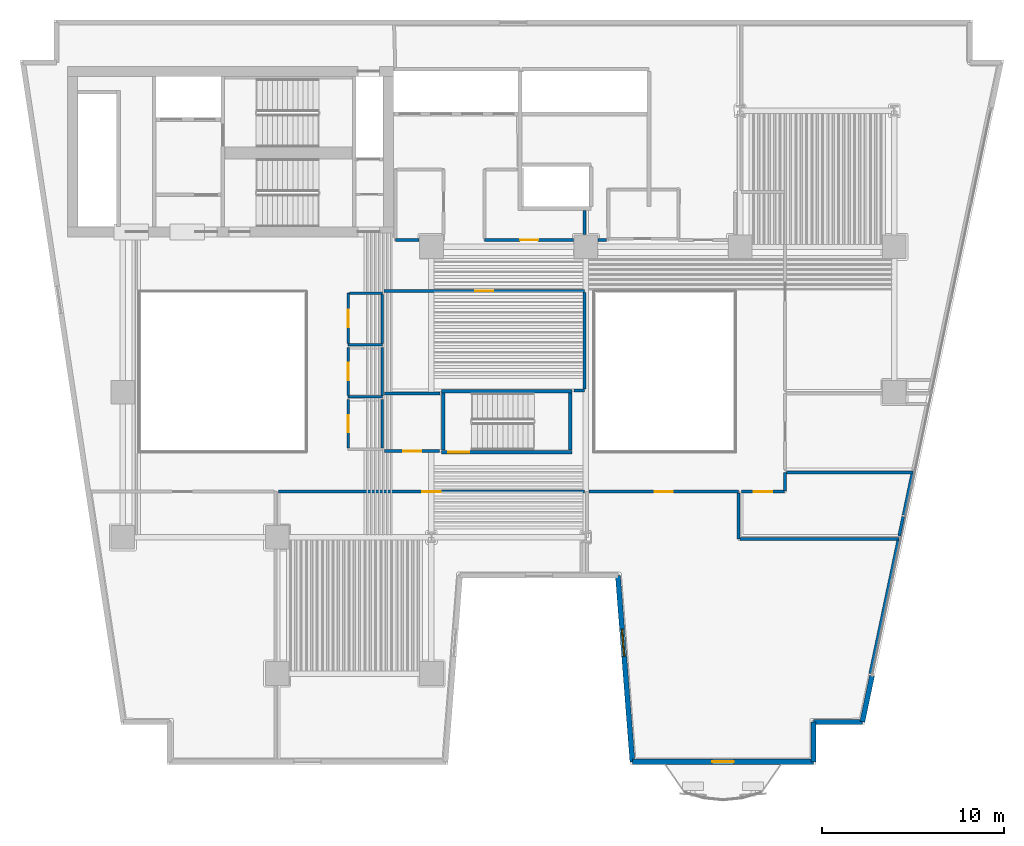
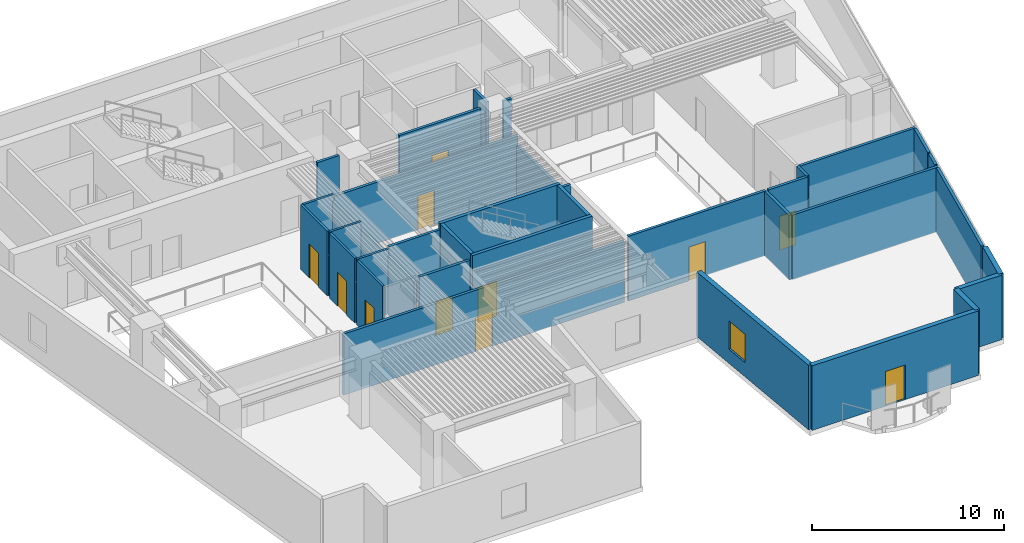
# One storey, part 4 of 12: 37 walls, 11 doors, 1 window, 12 openings.
"""IFC4 building model written with IfcOpenShell, lengths in metres."""

from ifc_helpers import new_model, si_unit, direction, frame, frame_2d, origin, place, context, subcontext, project, spatial, rectangle, extrude, material, layer, layer_set, type_object, element, fill, save


model = new_model("IFC4")

# Units and contexts
model_context = context("Model", 3, precision=1e-05, world=origin(), true_north=direction((0.0, 1.0)))
body_context = subcontext(model_context, "Body", "Model", "MODEL_VIEW")
ifc_project = project(units=[si_unit("LENGTHUNIT", "METRE"), si_unit("AREAUNIT", "SQUARE_METRE"), si_unit("VOLUMEUNIT", "CUBIC_METRE"), si_unit("PLANEANGLEUNIT", "RADIAN"), si_unit("MASSUNIT", "GRAM", prefix="KILO")], contexts=[model_context])

# Site, building, storey
site_placement = place(None, origin())
site = spatial("IfcSite", under=ifc_project, at=site_placement, CompositionType="ELEMENT")
building_placement = place(site_placement, origin())
building = spatial("IfcBuilding", under=site, at=building_placement, Name="Caeloran Harvest Quay", CompositionType="ELEMENT")
storey_placement = place(building_placement, frame((0.0, 0.0, 35.800048828125)))
storey = spatial("IfcBuildingStorey", under=building, at=storey_placement, Name="L08", CompositionType="ELEMENT", Elevation=35.800048828125)

# Walls
ifc_material_1 = material(Name="Precast concrete C50/60", Category="concrete")
ifc_layer_1 = layer(ifc_material_1, 0.280029296875, Name="Precast concrete C50/60")
ifc_layer_set_1 = layer_set([ifc_layer_1], Name="Precast concrete C50/60")
wall_type_1 = type_object("IfcWallType", Name="ENV-WALL-EW-280", PredefinedType="STANDARD", material=ifc_layer_set_1)
wall_1_placement = place(storey_placement, frame((49.77001953125, 7.384521484375, 0.0), z_axis=(0.0, 0.0, 1.0), x_axis=(-0.205551409765, -0.978646319128, 0.0)))
element("IfcWall", 1, at=wall_1_placement, inside=storey, type_object=wall_type_1, Name="L08 Exterior Facade Corner Pier Wall 9B", PredefinedType="STANDARD", context=body_context, shape_type="SweptSolid", body=[
    extrude(rectangle(XDim=2.599853515625, YDim=0.280029296875, at=frame_2d((1.2998046875, 0.0))), origin(), (0.0, 0.0, 1.0), 4.099853515625),
])
wall_2_placement = place(storey_placement, frame((49.235595703125, 4.840087890625, 0.0), z_axis=(0.0, 0.0, 1.0), x_axis=(-1.0, 0.0, 0.0)))
element("IfcWall", 2, at=wall_2_placement, inside=storey, type_object=wall_type_1, Name="L08 Exterior Precast Concrete Facade Wall 10", PredefinedType="STANDARD", context=body_context, shape_type="SweptSolid", body=[
    extrude(rectangle(XDim=2.6884765625, YDim=0.280029296875, at=frame_2d((1.34423828125, 0.0))), origin(), (0.0, 0.0, 1.0), 4.099853515625),
])
wall_3_placement = place(storey_placement, frame((46.547119140625, 4.840087890625, 0.0), z_axis=(0.0, 0.0, 1.0), x_axis=(0.0, -1.0, 0.0)))
element("IfcWall", 3, at=wall_3_placement, inside=storey, type_object=wall_type_1, Name="L08 Exterior Precast Concrete Facade Wall 11", PredefinedType="STANDARD", context=body_context, shape_type="SweptSolid", body=[
    extrude(rectangle(XDim=2.2001953125, YDim=0.280029296875, at=frame_2d((1.10009765625, 0.0))), origin(), (0.0, 0.0, 1.0), 4.099853515625),
])

# Wall, opening, door
wall_4_placement = place(storey_placement, frame((46.547119140625, 2.639892578125, 0.0), z_axis=(0.0, 0.0, 1.0), x_axis=(-1.0, 0.0, 0.0)))
wall_4 = element("IfcWall", 4, at=wall_4_placement, inside=storey, type_object=wall_type_1, Name="L08 Exterior Precast Concrete Facade Wall 12", PredefinedType="STANDARD", context=body_context, shape_type="SweptSolid", body=[
    extrude(rectangle(XDim=9.97705078125, YDim=0.280029296875, at=frame_2d((4.988525390625, 0.0))), origin(), (0.0, 0.0, 1.0), 4.099853515625),
])
opening_1_placement = place(wall_4_placement, frame((4.387939453125, 0.0, 0.0)))
opening_1 = element("IfcOpeningElement", 5, at=opening_1_placement, cuts=wall_4, Name="Opening BD-01", PredefinedType="OPENING", context=body_context, shape_type="SweptSolid", body=[
    extrude(rectangle(XDim=1.199951171875, YDim=2.199951171875, at=frame_2d((0.60009765625, 1.10009765625))), frame((0.0, 0.14990234375, 0.0), z_axis=(0.0, -1.0, 0.0), x_axis=(1.0, 0.0, 0.0)), (0.0, 0.0, 1.0), 0.300048828125),
])
ifc_material_2 = material(Name="Thermally Broken Powder-Coated Aluminium and Safety Glass", Category="aluminium")
door_type_1 = type_object("IfcDoorType", Name="EXTDOOR-BD-01", OperationType="NOTDEFINED", PredefinedType="DOOR", material=ifc_material_2)
door_1_placement = place(opening_1_placement, origin())
door_1 = element("IfcDoor", 6, at=door_1_placement, inside=storey, type_object=door_type_1, Name="L08 Planted Balcony Glazed Access Door", OperationType="SINGLE_SWING_LEFT", OverallHeight=2.199951171875, OverallWidth=1.199951171875, PredefinedType="DOOR", context=body_context, shape_type="SweptSolid", body=[
    extrude(rectangle(XDim=1.199951171875, YDim=2.199951171875, at=frame_2d((0.60009765625, 1.10009765625))), frame((0.0, 0.02490234375, 0.0), z_axis=(0.0, -1.0, 0.0), x_axis=(1.0, 0.0, 0.0)), (0.0, 0.0, 1.0), 0.050048828125),
])
fill(opening_1, door_1)

# Wall, opening, window
wall_5_placement = place(storey_placement, frame((36.570068359375, 2.639892578125, 0.0), z_axis=(0.0, 0.0, 1.0), x_axis=(-0.077816860153, 0.996967670627, 0.0)))
wall_5 = element("IfcWall", 7, at=wall_5_placement, inside=storey, type_object=wall_type_1, Name="L08 Exterior Precast Concrete Facade Wall 13", PredefinedType="STANDARD", context=body_context, shape_type="SweptSolid", body=[
    extrude(rectangle(XDim=10.28125, YDim=0.280029296875, at=frame_2d((5.140625, 0.0))), origin(), (0.0, 0.0, 1.0), 4.099853515625),
])
opening_2_placement = place(wall_5_placement, frame((5.830078125, 0.0, 0.89990234375)))
opening_2 = element("IfcOpeningElement", 8, at=opening_2_placement, cuts=wall_5, Name="Opening W-03", PredefinedType="OPENING", context=body_context, shape_type="SweptSolid", body=[
    extrude(rectangle(XDim=1.5, YDim=1.800048828125, at=frame_2d((0.75, 0.89990234375))), frame((0.0, 0.14990234375, 0.0), z_axis=(0.0, -1.0, 0.0), x_axis=(1.0, 0.0, 0.0)), (0.0, 0.0, 1.0), 0.300048828125),
])
ifc_material_3 = material(Name="Aluminium-Framed Low-E Laminated Glass", Category="aluminium")
window_type = type_object("IfcWindowType", Name="WIN-W-03", PartitioningType="SINGLE_PANEL", PredefinedType="WINDOW", material=ifc_material_3)
window_placement = place(opening_2_placement, origin())
window = element("IfcWindow", 9, at=window_placement, inside=storey, type_object=window_type, Name="L08 Facade Punched Window W-03", OverallHeight=1.800048828125, OverallWidth=1.5, PartitioningType="SINGLE_PANEL", PredefinedType="WINDOW", context=body_context, shape_type="SweptSolid", body=[
    extrude(rectangle(XDim=1.5, YDim=1.800048828125, at=frame_2d((0.75, 0.89990234375))), frame((0.0, 0.030029296875, 0.0), z_axis=(0.0, -1.0, 0.0), x_axis=(1.0, 0.0, 0.0)), (0.0, 0.0, 1.0), 0.06005859375),
])
fill(opening_2, window)

# Wall
ifc_material_4 = material(Name="Moisture-Resistant Cement-Board Sanitary Partition", Category="gypsum")
ifc_layer_2 = layer(ifc_material_4, 0.139892578125, Name="Moisture-Resistant Cement-Board Sanitary Partition")
ifc_layer_set_2 = layer_set([ifc_layer_2], Name="Moisture-Resistant Cement-Board Sanitary Partition")
wall_type_2 = type_object("IfcWallType", Name="INT-WALL-PW-140", PredefinedType="PARTITIONING", material=ifc_layer_set_2)
wall_6_placement = place(storey_placement, frame((22.800048828125, 25.60009765625, 0.0), z_axis=(0.0, 0.0, 1.0), x_axis=(-1.0, 0.0, 0.0)))
element("IfcWall", 10, at=wall_6_placement, inside=storey, type_object=wall_type_2, Name="L08 Male Washroom WC Partition Wall", PredefinedType="PARTITIONING", context=body_context, shape_type="SweptSolid", body=[
    extrude(rectangle(XDim=1.89013671875, YDim=0.139892578125, at=frame_2d((0.945068359375, 0.0))), origin(), (0.0, 0.0, 1.0), 4.099853515625),
])

# Wall, opening, door
wall_7_placement = place(storey_placement, frame((20.909912109375, 25.675048828125, 0.0), z_axis=(0.0, 0.0, 1.0), x_axis=(0.0, 1.0, 0.0)))
wall_7 = element("IfcWall", 11, at=wall_7_placement, inside=storey, type_object=wall_type_2, Name="L08 Male Washroom WC Partition Wall", PredefinedType="PARTITIONING", context=body_context, shape_type="SweptSolid", body=[
    extrude(rectangle(XDim=2.77490234375, YDim=0.139892578125, at=frame_2d((1.387451171875, 0.0))), origin(), (0.0, 0.0, 1.0), 4.099853515625),
])
opening_3_placement = place(wall_7_placement, frame((0.91259765625, 0.0, 0.0)))
opening_3 = element("IfcOpeningElement", 12, at=opening_3_placement, cuts=wall_7, Name="Opening WC-01", PredefinedType="OPENING", context=body_context, shape_type="SweptSolid", body=[
    extrude(rectangle(XDim=0.949951171875, YDim=2.14990234375, at=frame_2d((0.47509765625, 1.074951171875))), frame((0.0, 0.080078125, 0.0), z_axis=(0.0, -1.0, 0.0), x_axis=(1.0, 0.0, 0.0)), (0.0, 0.0, 1.0), 0.159912109375),
])
ifc_material_5 = material(Name="High-Pressure Laminate Moisture-Resistant Timber", Category="wood")
door_type_2 = type_object("IfcDoorType", Name="INTDOOR-WC-01", OperationType="NOTDEFINED", PredefinedType="DOOR", material=ifc_material_5)
door_2_placement = place(opening_3_placement, origin())
door_2 = element("IfcDoor", 13, at=door_2_placement, inside=storey, type_object=door_type_2, Name="L08 Male Washroom WC Access Door", OperationType="SINGLE_SWING_LEFT", OverallHeight=2.14990234375, OverallWidth=0.949951171875, PredefinedType="DOOR", context=body_context, shape_type="SweptSolid", body=[
    extrude(rectangle(XDim=0.949951171875, YDim=2.14990234375, at=frame_2d((0.47509765625, 1.074951171875))), frame((0.0, 0.02490234375, 0.0), z_axis=(0.0, -1.0, 0.0), x_axis=(1.0, 0.0, 0.0)), (0.0, 0.0, 1.0), 0.050048828125),
])
fill(opening_3, door_2)

# Walls
wall_8_placement = place(storey_placement, frame((20.985107421875, 28.449951171875, 0.0), z_axis=(0.0, 0.0, 1.0), x_axis=(1.0, 0.0, 0.0)))
element("IfcWall", 14, at=wall_8_placement, inside=storey, type_object=wall_type_2, Name="L08 Male Washroom WC Partition Wall", PredefinedType="PARTITIONING", context=body_context, shape_type="SweptSolid", body=[
    extrude(rectangle(XDim=1.81494140625, YDim=0.139892578125, at=frame_2d((0.907470703125, 0.0))), origin(), (0.0, 0.0, 1.0), 4.099853515625),
])
wall_9_placement = place(storey_placement, frame((22.800048828125, 28.375, 0.0), z_axis=(0.0, 0.0, 1.0), x_axis=(0.0, -1.0, 0.0)))
element("IfcWall", 15, at=wall_9_placement, inside=storey, type_object=wall_type_2, Name="L08 Male Washroom WC Partition Wall", PredefinedType="PARTITIONING", context=body_context, shape_type="SweptSolid", body=[
    extrude(rectangle(XDim=2.699951171875, YDim=0.139892578125, at=frame_2d((1.35009765625, 0.0))), origin(), (0.0, 0.0, 1.0), 3.724853515625),
])
wall_10_placement = place(storey_placement, frame((22.800048828125, 22.75, 0.0), z_axis=(0.0, 0.0, 1.0), x_axis=(-1.0, 0.0, 0.0)))
element("IfcWall", 16, at=wall_10_placement, inside=storey, type_object=wall_type_2, Name="L08 Female Washroom WC Partition Wall", PredefinedType="PARTITIONING", context=body_context, shape_type="SweptSolid", body=[
    extrude(rectangle(XDim=1.89013671875, YDim=0.139892578125, at=frame_2d((0.945068359375, 0.0))), origin(), (0.0, 0.0, 1.0), 4.099853515625),
])

# Wall, opening, door
wall_11_placement = place(storey_placement, frame((20.909912109375, 22.824951171875, 0.0), z_axis=(0.0, 0.0, 1.0), x_axis=(0.0, 1.0, 0.0)))
wall_11 = element("IfcWall", 17, at=wall_11_placement, inside=storey, type_object=wall_type_2, Name="L08 Female Washroom WC Partition Wall", PredefinedType="PARTITIONING", context=body_context, shape_type="SweptSolid", body=[
    extrude(rectangle(XDim=2.625, YDim=0.139892578125, at=frame_2d((1.3125, 0.0))), origin(), (0.0, 0.0, 1.0), 4.099853515625),
])
opening_4_placement = place(wall_11_placement, frame((0.83740234375, 0.0, 0.0)))
opening_4 = element("IfcOpeningElement", 18, at=opening_4_placement, cuts=wall_11, Name="Opening WC-01", PredefinedType="OPENING", context=body_context, shape_type="SweptSolid", body=[
    extrude(rectangle(XDim=0.949951171875, YDim=2.14990234375, at=frame_2d((0.47509765625, 1.074951171875))), frame((0.0, 0.080078125, 0.0), z_axis=(0.0, -1.0, 0.0), x_axis=(1.0, 0.0, 0.0)), (0.0, 0.0, 1.0), 0.159912109375),
])
door_3_placement = place(opening_4_placement, origin())
door_3 = element("IfcDoor", 19, at=door_3_placement, inside=storey, type_object=door_type_2, Name="L08 Female Washroom WC Access Door", OperationType="SINGLE_SWING_RIGHT", OverallHeight=2.14990234375, OverallWidth=0.949951171875, PredefinedType="DOOR", context=body_context, shape_type="SweptSolid", body=[
    extrude(rectangle(XDim=0.949951171875, YDim=2.14990234375, at=frame_2d((0.47509765625, 1.074951171875))), frame((0.0, 0.02490234375, 0.0), z_axis=(0.0, -1.0, 0.0), x_axis=(1.0, 0.0, 0.0)), (0.0, 0.0, 1.0), 0.050048828125),
])
fill(opening_4, door_3)

# Wall
wall_12_placement = place(storey_placement, frame((22.800048828125, 25.449951171875, 0.0), z_axis=(0.0, 0.0, 1.0), x_axis=(0.0, -1.0, 0.0)))
element("IfcWall", 20, at=wall_12_placement, inside=storey, type_object=wall_type_2, Name="L08 Female Washroom WC Partition Wall", PredefinedType="PARTITIONING", context=body_context, shape_type="SweptSolid", body=[
    extrude(rectangle(XDim=2.625, YDim=0.139892578125, at=frame_2d((1.3125, 0.0))), origin(), (0.0, 0.0, 1.0), 3.724853515625),
])

# Wall, opening, door
wall_13_placement = place(storey_placement, frame((20.909912109375, 19.925048828125, 0.0), z_axis=(0.0, 0.0, 1.0), x_axis=(0.0, 1.0, 0.0)))
wall_13 = element("IfcWall", 21, at=wall_13_placement, inside=storey, type_object=wall_type_2, Name="L08 Accessible Unisex Washroom WC Partition Wall", PredefinedType="PARTITIONING", context=body_context, shape_type="SweptSolid", body=[
    extrude(rectangle(XDim=2.675048828125, YDim=0.139892578125, at=frame_2d((1.33740234375, 0.0))), origin(), (0.0, 0.0, 1.0), 4.099853515625),
])
opening_5_placement = place(wall_13_placement, frame((0.862548828125, 0.0, 0.0)))
opening_5 = element("IfcOpeningElement", 22, at=opening_5_placement, cuts=wall_13, Name="Opening WC-01", PredefinedType="OPENING", context=body_context, shape_type="SweptSolid", body=[
    extrude(rectangle(XDim=0.949951171875, YDim=2.14990234375, at=frame_2d((0.47509765625, 1.074951171875))), frame((0.0, 0.080078125, 0.0), z_axis=(0.0, -1.0, 0.0), x_axis=(1.0, 0.0, 0.0)), (0.0, 0.0, 1.0), 0.159912109375),
])
door_4_placement = place(opening_5_placement, origin())
door_4 = element("IfcDoor", 23, at=door_4_placement, inside=storey, type_object=door_type_2, Name="L08 Accessible Unisex Washroom WC Access Door", OperationType="SINGLE_SWING_LEFT", OverallHeight=2.14990234375, OverallWidth=0.949951171875, PredefinedType="DOOR", context=body_context, shape_type="SweptSolid", body=[
    extrude(rectangle(XDim=0.949951171875, YDim=2.14990234375, at=frame_2d((0.47509765625, 1.074951171875))), frame((0.0, 0.02490234375, 0.0), z_axis=(0.0, -1.0, 0.0), x_axis=(1.0, 0.0, 0.0)), (0.0, 0.0, 1.0), 0.050048828125),
])
fill(opening_5, door_4)

# Wall
wall_14_placement = place(storey_placement, frame((22.800048828125, 22.60009765625, 0.0), z_axis=(0.0, 0.0, 1.0), x_axis=(0.0, -1.0, 0.0)))
element("IfcWall", 24, at=wall_14_placement, inside=storey, type_object=wall_type_2, Name="L08 Accessible Unisex Washroom WC Partition Wall", PredefinedType="PARTITIONING", context=body_context, shape_type="SweptSolid", body=[
    extrude(rectangle(XDim=2.675048828125, YDim=0.139892578125, at=frame_2d((1.33740234375, 0.0))), origin(), (0.0, 0.0, 1.0), 3.724853515625),
])

# Wall, opening, door
ifc_material_6 = material(Name="Autoclaved Aerated Concrete Blockwork", Category="masonry")
ifc_layer_3 = layer(ifc_material_6, 0.1650390625, Name="Autoclaved Aerated Concrete Blockwork")
ifc_layer_set_3 = layer_set([ifc_layer_3], Name="Autoclaved Aerated Concrete Blockwork")
wall_type_3 = type_object("IfcWallType", Name="INT-WALL-PW-165", PredefinedType="PARTITIONING", material=ifc_layer_set_3)
wall_15_placement = place(storey_placement, frame((34.16748046875, 17.52001953125, 0.0), z_axis=(0.0, 0.0, 1.0), x_axis=(1.0, 0.0, 0.0)))
wall_15 = element("IfcWall", 25, at=wall_15_placement, inside=storey, type_object=wall_type_3, Name="Leafy-Greens Hydroponic Growing Hall Partition Wall", PredefinedType="PARTITIONING", context=body_context, shape_type="SweptSolid", body=[
    extrude(rectangle(XDim=8.25244140625, YDim=0.1650390625, at=frame_2d((4.126220703125, 0.0))), origin(), (0.0, 0.0, 1.0), 4.099853515625),
])
opening_6_placement = place(wall_15_placement, frame((3.626220703125, 0.0, 0.0)))
opening_6 = element("IfcOpeningElement", 26, at=opening_6_placement, cuts=wall_15, Name="Opening ID-01", PredefinedType="OPENING", context=body_context, shape_type="SweptSolid", body=[
    extrude(rectangle(XDim=1.0, YDim=2.14990234375, at=frame_2d((0.5, 1.074951171875))), frame((0.0, 0.092529296875, 0.0), z_axis=(0.0, -1.0, 0.0), x_axis=(1.0, 0.0, 0.0)), (0.0, 0.0, 1.0), 0.18505859375),
])
ifc_material_7 = material(Name="FSC Solid-Core Ash Timber and Acoustic Seal", Category="wood")
door_type_3 = type_object("IfcDoorType", Name="INTDOOR-ID-01", OperationType="NOTDEFINED", PredefinedType="DOOR", material=ifc_material_7)
door_5_placement = place(opening_6_placement, origin())
door_5 = element("IfcDoor", 27, at=door_5_placement, inside=storey, type_object=door_type_3, Name="Leafy-Greens Hydroponic Growing Hall Access Door", OperationType="SINGLE_SWING_RIGHT", OverallHeight=2.14990234375, OverallWidth=1.0, PredefinedType="DOOR", context=body_context, shape_type="SweptSolid", body=[
    extrude(rectangle(XDim=1.0, YDim=2.14990234375, at=frame_2d((0.5, 1.074951171875))), frame((0.0, 0.02490234375, 0.0), z_axis=(0.0, -1.0, 0.0), x_axis=(1.0, 0.0, 0.0)), (0.0, 0.0, 1.0), 0.050048828125),
])
fill(opening_6, door_5)

# Walls
wall_16_placement = place(storey_placement, frame((42.419921875, 17.4326171875, 0.0), z_axis=(0.0, 0.0, 1.0), x_axis=(0.0, -1.0, 0.0)))
element("IfcWall", 28, at=wall_16_placement, inside=storey, type_object=wall_type_3, Name="Leafy-Greens Hydroponic Growing Hall Partition Wall", PredefinedType="PARTITIONING", context=body_context, shape_type="SweptSolid", body=[
    extrude(rectangle(XDim=2.5126953125, YDim=0.1650390625, at=frame_2d((1.25634765625, 0.0))), origin(), (0.0, 0.0, 1.0), 4.099853515625),
])
wall_17_placement = place(storey_placement, frame((42.507568359375, 14.919921875, 0.0), z_axis=(0.0, 0.0, 1.0), x_axis=(1.0, 0.0, 0.0)))
element("IfcWall", 29, at=wall_17_placement, inside=storey, type_object=wall_type_3, Name="Leafy-Greens Hydroponic Growing Hall Partition Wall", PredefinedType="PARTITIONING", context=body_context, shape_type="SweptSolid", body=[
    extrude(rectangle(XDim=8.73828125, YDim=0.1650390625, at=frame_2d((4.369140625, 0.0))), origin(), (0.0, 0.0, 1.0), 4.099853515625),
])
wall_18_placement = place(storey_placement, frame((51.211669921875, 14.83251953125, 0.0), z_axis=(0.0, 0.0, 1.0), x_axis=(-0.205558750788, -0.978644777217, 0.0)))
element("IfcWall", 30, at=wall_18_placement, inside=storey, type_object=wall_type_3, Name="Leafy-Greens Hydroponic Growing Hall Partition Wall", PredefinedType="PARTITIONING", context=body_context, shape_type="SweptSolid", body=[
    extrude(rectangle(XDim=7.49072265625, YDim=0.1650390625, at=frame_2d((3.745361328125, 0.0))), origin(), (0.0, 0.0, 1.0), 4.099853515625),
])

# Wall, opening, door
wall_19_placement = place(storey_placement, frame((17.080078125, 17.52001953125, 0.0), z_axis=(0.0, 0.0, 1.0), x_axis=(1.0, 0.0, 0.0)))
wall_19 = element("IfcWall", 31, at=wall_19_placement, inside=storey, type_object=wall_type_3, Name="Seedling Nursery Room Partition Wall", PredefinedType="PARTITIONING", context=body_context, shape_type="SweptSolid", body=[
    extrude(rectangle(XDim=16.83984375, YDim=0.1650390625, at=frame_2d((8.419921875, 0.0))), origin(), (0.0, 0.0, 1.0), 3.885009765625),
])
opening_7_placement = place(wall_19_placement, frame((7.919921875, 0.0, 0.0)))
opening_7 = element("IfcOpeningElement", 32, at=opening_7_placement, cuts=wall_19, Name="Opening ID-01", PredefinedType="OPENING", context=body_context, shape_type="SweptSolid", body=[
    extrude(rectangle(XDim=1.0, YDim=2.14990234375, at=frame_2d((0.5, 1.074951171875))), frame((0.0, 0.092529296875, 0.0), z_axis=(0.0, -1.0, 0.0), x_axis=(1.0, 0.0, 0.0)), (0.0, 0.0, 1.0), 0.18505859375),
])
door_6_placement = place(opening_7_placement, origin())
door_6 = element("IfcDoor", 33, at=door_6_placement, inside=storey, type_object=door_type_3, Name="Seedling Nursery Room Access Door", OperationType="SINGLE_SWING_RIGHT", OverallHeight=2.14990234375, OverallWidth=1.0, PredefinedType="DOOR", context=body_context, shape_type="SweptSolid", body=[
    extrude(rectangle(XDim=1.0, YDim=2.14990234375, at=frame_2d((0.5, 1.074951171875))), frame((0.0, 0.02490234375, 0.0), z_axis=(0.0, -1.0, 0.0), x_axis=(1.0, 0.0, 0.0)), (0.0, 0.0, 1.0), 0.050048828125),
])
fill(opening_7, door_6)

# Walls
wall_20_placement = place(storey_placement, frame((44.97998046875, 17.550048828125, 0.0), z_axis=(0.0, 0.0, 1.0), x_axis=(0.0, 1.0, 0.0)))
element("IfcWall", 34, at=wall_20_placement, inside=storey, type_object=wall_type_3, Name="Nutrient QA Laboratory Partition Wall", PredefinedType="PARTITIONING", context=body_context, shape_type="SweptSolid", body=[
    extrude(rectangle(XDim=1.02001953125, YDim=0.1650390625, at=frame_2d((0.510009765625, 0.0))), origin(), (0.0, 0.0, 1.0), 4.099853515625),
])
wall_21_placement = place(storey_placement, frame((45.0673828125, 18.570068359375, 0.0), z_axis=(0.0, 0.0, 1.0), x_axis=(1.0, 0.0, 0.0)))
element("IfcWall", 35, at=wall_21_placement, inside=storey, type_object=wall_type_3, Name="Nutrient QA Laboratory Partition Wall", PredefinedType="PARTITIONING", context=body_context, shape_type="SweptSolid", body=[
    extrude(rectangle(XDim=6.945068359375, YDim=0.1650390625, at=frame_2d((3.47265625, 0.0))), origin(), (0.0, 0.0, 1.0), 4.099853515625),
])
wall_22_placement = place(storey_placement, frame((51.978515625, 18.482421875, 0.0), z_axis=(0.0, 0.0, 1.0), x_axis=(-0.205352569868, -0.978688061666, 0.0)))
element("IfcWall", 36, at=wall_22_placement, inside=storey, type_object=wall_type_3, Name="Nutrient QA Laboratory Partition Wall", PredefinedType="PARTITIONING", context=body_context, shape_type="SweptSolid", body=[
    extrude(rectangle(XDim=2.300537109375, YDim=0.1650390625, at=frame_2d((1.150390625, 0.0))), origin(), (0.0, 0.0, 1.0), 4.099853515625),
])
wall_23_placement = place(storey_placement, frame((51.486572265625, 16.138427734375, 0.0), z_axis=(0.0, 0.0, 1.0), x_axis=(-0.205873957853, -0.978578516767, 0.0)))
element("IfcWall", 37, at=wall_23_placement, inside=storey, type_object=wall_type_3, Name="Nutrient QA Laboratory Partition Wall", PredefinedType="PARTITIONING", context=body_context, shape_type="SweptSolid", body=[
    extrude(rectangle(XDim=1.08154296875, YDim=0.1650390625, at=frame_2d((0.540771484375, 0.0))), origin(), (0.0, 0.0, 1.0), 4.099853515625),
])

# Wall, opening, door
wall_24_placement = place(storey_placement, frame((42.580078125, 17.52001953125, 0.0), z_axis=(0.0, 0.0, 1.0), x_axis=(1.0, 0.0, 0.0)))
wall_24 = element("IfcWall", 38, at=wall_24_placement, inside=storey, type_object=wall_type_3, Name="Nutrient QA Laboratory Partition Wall", PredefinedType="PARTITIONING", context=body_context, shape_type="SweptSolid", body=[
    extrude(rectangle(XDim=2.369873046875, YDim=0.1650390625, at=frame_2d((1.18505859375, 0.0))), origin(), (0.0, 0.0, 1.0), 4.099853515625),
])
opening_8_placement = place(wall_24_placement, frame((0.68505859375, 0.0, 0.0)))
opening_8 = element("IfcOpeningElement", 39, at=opening_8_placement, cuts=wall_24, Name="Opening ID-01", PredefinedType="OPENING", context=body_context, shape_type="SweptSolid", body=[
    extrude(rectangle(XDim=1.0, YDim=2.14990234375, at=frame_2d((0.5, 1.074951171875))), frame((0.0, 0.092529296875, 0.0), z_axis=(0.0, -1.0, 0.0), x_axis=(1.0, 0.0, 0.0)), (0.0, 0.0, 1.0), 0.18505859375),
])
door_7_placement = place(opening_8_placement, origin())
door_7 = element("IfcDoor", 40, at=door_7_placement, inside=storey, type_object=door_type_3, Name="Nutrient QA Laboratory Access Door", OperationType="SINGLE_SWING_LEFT", OverallHeight=2.14990234375, OverallWidth=1.0, PredefinedType="DOOR", context=body_context, shape_type="SweptSolid", body=[
    extrude(rectangle(XDim=1.0, YDim=2.14990234375, at=frame_2d((0.5, 1.074951171875))), frame((0.0, 0.02490234375, 0.0), z_axis=(0.0, -1.0, 0.0), x_axis=(1.0, 0.0, 0.0)), (0.0, 0.0, 1.0), 0.050048828125),
])
fill(opening_8, door_7)

wall_25_placement = place(storey_placement, frame((25.95556640625, 19.75, 0.0), z_axis=(0.0, 0.0, 1.0), x_axis=(-1.0, 0.0, 0.0)))
wall_25 = element("IfcWall", 41, at=wall_25_placement, inside=storey, type_object=wall_type_3, Name="Agronomist Office Partition Wall", PredefinedType="PARTITIONING", context=body_context, shape_type="SweptSolid", body=[
    extrude(rectangle(XDim=3.045654296875, YDim=0.1650390625, at=frame_2d((1.52294921875, 0.0))), origin(), (0.0, 0.0, 1.0), 4.099853515625),
])
opening_9_placement = place(wall_25_placement, frame((1.022705078125, 0.0, 0.0)))
opening_9 = element("IfcOpeningElement", 42, at=opening_9_placement, cuts=wall_25, Name="Opening ID-01", PredefinedType="OPENING", context=body_context, shape_type="SweptSolid", body=[
    extrude(rectangle(XDim=1.0, YDim=2.14990234375, at=frame_2d((0.5, 1.074951171875))), frame((0.0, 0.092529296875, 0.0), z_axis=(0.0, -1.0, 0.0), x_axis=(1.0, 0.0, 0.0)), (0.0, 0.0, 1.0), 0.18505859375),
])
door_8_placement = place(opening_9_placement, origin())
door_8 = element("IfcDoor", 43, at=door_8_placement, inside=storey, type_object=door_type_3, Name="Agronomist Office Access Door", OperationType="SINGLE_SWING_LEFT", OverallHeight=2.14990234375, OverallWidth=1.0, PredefinedType="DOOR", context=body_context, shape_type="SweptSolid", body=[
    extrude(rectangle(XDim=1.0, YDim=2.14990234375, at=frame_2d((0.5, 1.074951171875))), frame((0.0, 0.02490234375, 0.0), z_axis=(0.0, -1.0, 0.0), x_axis=(1.0, 0.0, 0.0)), (0.0, 0.0, 1.0), 0.050048828125),
])
fill(opening_9, door_8)

# Walls
wall_26_placement = place(storey_placement, frame((22.909912109375, 22.919921875, 0.0), z_axis=(0.0, 0.0, 1.0), x_axis=(1.0, 0.0, 0.0)))
element("IfcWall", 44, at=wall_26_placement, inside=storey, type_object=wall_type_3, Name="Agronomist Office Partition Wall", PredefinedType="PARTITIONING", context=body_context, shape_type="SweptSolid", body=[
    extrude(rectangle(XDim=3.050537109375, YDim=0.1650390625, at=frame_2d((1.525390625, 0.0))), origin(), (0.0, 0.0, 1.0), 4.099853515625),
])
wall_27_placement = place(storey_placement, frame((33.919921875, 23.080078125, 0.0), z_axis=(0.0, 0.0, 1.0), x_axis=(-1.0, 0.0, 0.0)))
element("IfcWall", 45, at=wall_27_placement, inside=storey, type_object=wall_type_3, Name="Staff Tea Lounge Partition Wall", PredefinedType="PARTITIONING", context=body_context, shape_type="SweptSolid", body=[
    extrude(rectangle(XDim=0.575439453125, YDim=0.1650390625, at=frame_2d((0.28759765625, 0.0))), origin(), (0.0, 0.0, 1.0), 4.099853515625),
])

# Wall, opening, door
wall_28_placement = place(storey_placement, frame((22.889892578125, 28.570068359375, 0.0), z_axis=(0.0, 0.0, 1.0), x_axis=(1.0, 0.0, 0.0)))
wall_28 = element("IfcWall", 46, at=wall_28_placement, inside=storey, type_object=wall_type_3, Name="Staff Tea Lounge Partition Wall", PredefinedType="PARTITIONING", context=body_context, shape_type="SweptSolid", body=[
    extrude(rectangle(XDim=11.030029296875, YDim=0.1650390625, at=frame_2d((5.51513671875, 0.0))), origin(), (0.0, 0.0, 1.0), 3.885009765625),
])
opening_10_placement = place(wall_28_placement, frame((5.014892578125, 0.0, 0.0)))
opening_10 = element("IfcOpeningElement", 47, at=opening_10_placement, cuts=wall_28, Name="Opening ID-01", PredefinedType="OPENING", context=body_context, shape_type="SweptSolid", body=[
    extrude(rectangle(XDim=1.0, YDim=2.14990234375, at=frame_2d((0.5, 1.074951171875))), frame((0.0, 0.092529296875, 0.0), z_axis=(0.0, -1.0, 0.0), x_axis=(1.0, 0.0, 0.0)), (0.0, 0.0, 1.0), 0.18505859375),
])
door_9_placement = place(opening_10_placement, origin())
door_9 = element("IfcDoor", 48, at=door_9_placement, inside=storey, type_object=door_type_3, Name="Staff Tea Lounge Access Door", OperationType="SINGLE_SWING_RIGHT", OverallHeight=2.14990234375, OverallWidth=1.0, PredefinedType="DOOR", context=body_context, shape_type="SweptSolid", body=[
    extrude(rectangle(XDim=1.0, YDim=2.14990234375, at=frame_2d((0.5, 1.074951171875))), frame((0.0, 0.02490234375, 0.0), z_axis=(0.0, -1.0, 0.0), x_axis=(1.0, 0.0, 0.0)), (0.0, 0.0, 1.0), 0.050048828125),
])
fill(opening_10, door_9)

# Walls
wall_29_placement = place(storey_placement, frame((33.919921875, 28.482421875, 0.0), z_axis=(0.0, 0.0, 1.0), x_axis=(0.0, -1.0, 0.0)))
element("IfcWall", 49, at=wall_29_placement, inside=storey, type_object=wall_type_3, Name="Staff Tea Lounge Partition Wall", PredefinedType="PARTITIONING", context=body_context, shape_type="SweptSolid", body=[
    extrude(rectangle(XDim=5.31494140625, YDim=0.1650390625, at=frame_2d((2.657470703125, 0.0))), origin(), (0.0, 0.0, 1.0), 3.284912109375),
])
wall_30_placement = place(storey_placement, frame((33.919921875, 33.014892578125, 0.0), z_axis=(0.0, 0.0, 1.0), x_axis=(0.0, -1.0, 0.0)))
element("IfcWall", 50, at=wall_30_placement, inside=storey, type_object=wall_type_3, Name="Equipment Sterilisation Room Partition Wall", PredefinedType="PARTITIONING", context=body_context, shape_type="SweptSolid", body=[
    extrude(rectangle(XDim=1.33984375, YDim=0.1650390625, at=frame_2d((0.669921875, 0.0))), origin(), (0.0, 0.0, 1.0), 4.099853515625),
])

# Wall, opening, door
wall_31_placement = place(storey_placement, frame((33.324951171875, 31.3798828125, 0.0), z_axis=(0.0, 0.0, 1.0), x_axis=(-1.0, 0.0, 0.0)))
wall_31 = element("IfcWall", 51, at=wall_31_placement, inside=storey, type_object=wall_type_3, Name="Equipment Sterilisation Room Partition Wall", PredefinedType="PARTITIONING", context=body_context, shape_type="SweptSolid", body=[
    extrude(rectangle(XDim=4.89501953125, YDim=0.1650390625, at=frame_2d((2.447509765625, 0.0))), origin(), (0.0, 0.0, 1.0), 4.099853515625),
])
opening_11_placement = place(wall_31_placement, frame((1.947509765625, 0.0, 0.0)))
opening_11 = element("IfcOpeningElement", 52, at=opening_11_placement, cuts=wall_31, Name="Opening ID-01", PredefinedType="OPENING", context=body_context, shape_type="SweptSolid", body=[
    extrude(rectangle(XDim=1.0, YDim=2.14990234375, at=frame_2d((0.5, 1.074951171875))), frame((0.0, 0.092529296875, 0.0), z_axis=(0.0, -1.0, 0.0), x_axis=(1.0, 0.0, 0.0)), (0.0, 0.0, 1.0), 0.18505859375),
])
door_10_placement = place(opening_11_placement, origin())
door_10 = element("IfcDoor", 53, at=door_10_placement, inside=storey, type_object=door_type_3, Name="Equipment Sterilisation Room Access Door", OperationType="SINGLE_SWING_LEFT", OverallHeight=2.14990234375, OverallWidth=1.0, PredefinedType="DOOR", context=body_context, shape_type="SweptSolid", body=[
    extrude(rectangle(XDim=1.0, YDim=2.14990234375, at=frame_2d((0.5, 1.074951171875))), frame((0.0, 0.02490234375, 0.0), z_axis=(0.0, -1.0, 0.0), x_axis=(1.0, 0.0, 0.0)), (0.0, 0.0, 1.0), 0.050048828125),
])
fill(opening_11, door_10)

# Walls
wall_32_placement = place(storey_placement, frame((24.824951171875, 31.3798828125, 0.0), z_axis=(0.0, 0.0, 1.0), x_axis=(-1.0, 0.0, 0.0)))
element("IfcWall", 54, at=wall_32_placement, inside=storey, type_object=wall_type_3, Name="Leafy-Greens Hydroponic Growing Hall 9 Partition Wall", PredefinedType="PARTITIONING", context=body_context, shape_type="SweptSolid", body=[
    extrude(rectangle(XDim=1.31494140625, YDim=0.1650390625, at=frame_2d((0.657470703125, 0.0))), origin(), (0.0, 0.0, 1.0), 4.099853515625),
])
wall_33_placement = place(storey_placement, frame((35.155517578125, 31.3798828125, 0.0), z_axis=(0.0, 0.0, 1.0), x_axis=(-1.0, 0.0, 0.0)))
element("IfcWall", 55, at=wall_33_placement, inside=storey, type_object=wall_type_3, Name="Seedling Nursery Room 11 Partition Wall", PredefinedType="PARTITIONING", context=body_context, shape_type="SweptSolid", body=[
    extrude(rectangle(XDim=0.48046875, YDim=0.1650390625, at=frame_2d((0.240234375, 0.0))), origin(), (0.0, 0.0, 1.0), 4.099853515625),
])

# Wall, opening, door
ifc_material_8 = material(Name="Concrete C60/75", Category="concrete")
ifc_layer_4 = layer(ifc_material_8, 0.199951171875, Name="Concrete C60/75")
ifc_layer_set_4 = layer_set([ifc_layer_4], Name="Concrete C60/75")
wall_type_4 = type_object("IfcWallType", Name="STR-WALL-SW-200", PredefinedType="SHEAR", material=ifc_layer_set_4)
wall_34_placement = place(storey_placement, frame((26.050048828125, 19.699951171875, 0.0), z_axis=(0.0, 0.0, 1.0), x_axis=(1.0, 0.0, 0.0)))
wall_34 = element("IfcWall", 56, at=wall_34_placement, inside=storey, type_object=wall_type_4, Name="L08 Stair ST-W1 S RC Shaft Shear Wall", PredefinedType="SHEAR", context=body_context, shape_type="SweptSolid", body=[
    extrude(rectangle(XDim=7.199951171875, YDim=0.199951171875, at=frame_2d((3.60009765625, 0.0))), origin(), (0.0, 0.0, 1.0), 4.39990234375),
])
opening_12_placement = place(wall_34_placement, frame((0.3798828125, 0.0, 0.0)))
opening_12 = element("IfcOpeningElement", 57, at=opening_12_placement, cuts=wall_34, Name="Opening SD-01", PredefinedType="OPENING", context=body_context, shape_type="SweptSolid", body=[
    extrude(rectangle(XDim=1.14990234375, YDim=2.199951171875, at=frame_2d((0.574951171875, 1.10009765625))), frame((0.0, 0.10986328125, 0.0), z_axis=(0.0, -1.0, 0.0), x_axis=(1.0, 0.0, 0.0)), (0.0, 0.0, 1.0), 0.219970703125),
])
ifc_material_9 = material(Name="Steel", Category="steel")
door_type_4 = type_object("IfcDoorType", Name="INTDOOR-SD-01", OperationType="NOTDEFINED", PredefinedType="DOOR", material=ifc_material_9)
door_11_placement = place(opening_12_placement, origin())
door_11 = element("IfcDoor", 58, at=door_11_placement, inside=storey, type_object=door_type_4, Name="L08 Protected Exit Stair ST-W1 Fire Door", OperationType="SINGLE_SWING_LEFT", OverallHeight=2.199951171875, OverallWidth=1.14990234375, PredefinedType="DOOR", context=body_context, shape_type="SweptSolid", body=[
    extrude(rectangle(XDim=1.14990234375, YDim=2.199951171875, at=frame_2d((0.574951171875, 1.10009765625))), frame((0.0, 0.02490234375, 0.0), z_axis=(0.0, -1.0, 0.0), x_axis=(1.0, 0.0, 0.0)), (0.0, 0.0, 1.0), 0.050048828125),
])
fill(opening_12, door_11)

# Walls
wall_35_placement = place(storey_placement, frame((26.050048828125, 23.050048828125, 0.0), z_axis=(0.0, 0.0, 1.0), x_axis=(1.0, 0.0, 0.0)))
element("IfcWall", 59, at=wall_35_placement, inside=storey, type_object=wall_type_4, Name="L08 Stair ST-W1 N RC Shaft Shear Wall", PredefinedType="SHEAR", context=body_context, shape_type="SweptSolid", body=[
    extrude(rectangle(XDim=7.199951171875, YDim=0.199951171875, at=frame_2d((3.60009765625, 0.0))), origin(), (0.0, 0.0, 1.0), 4.39990234375),
])
for number, where, z_axis, x_axis, name in (
    (60, (26.14990234375, 19.81005859375, 0.0), (0.0, 0.0, 1.0), (0.0, 1.0, 0.0), "L08 Stair ST-W1 W RC Shaft Shear Wall"),
    (61, (33.14990234375, 19.81005859375, 0.0), (0.0, 0.0, 1.0), (0.0, 1.0, 0.0), "L08 Stair ST-W1 E RC Shaft Shear Wall"),
):
    element("IfcWall", number, at=place(storey_placement, frame(where, z_axis=z_axis, x_axis=x_axis)), inside=storey, type_object=wall_type_4, Name=name, PredefinedType="SHEAR", context=body_context, shape_type="SweptSolid", body=[
        extrude(rectangle(XDim=3.1298828125, YDim=0.199951171875, at=frame_2d((1.56494140625, 0.0))), origin(), (0.0, 0.0, 1.0), 4.39990234375),
    ])

save(model, "model.ifc")
